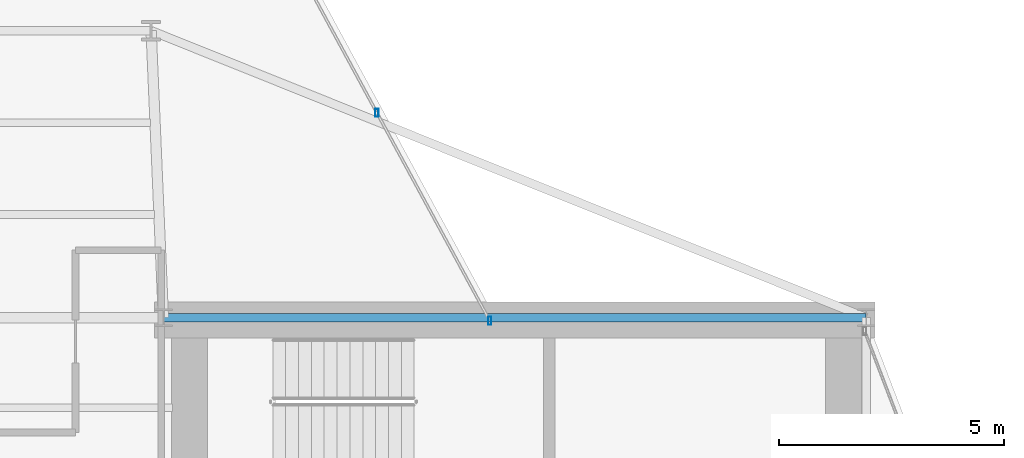
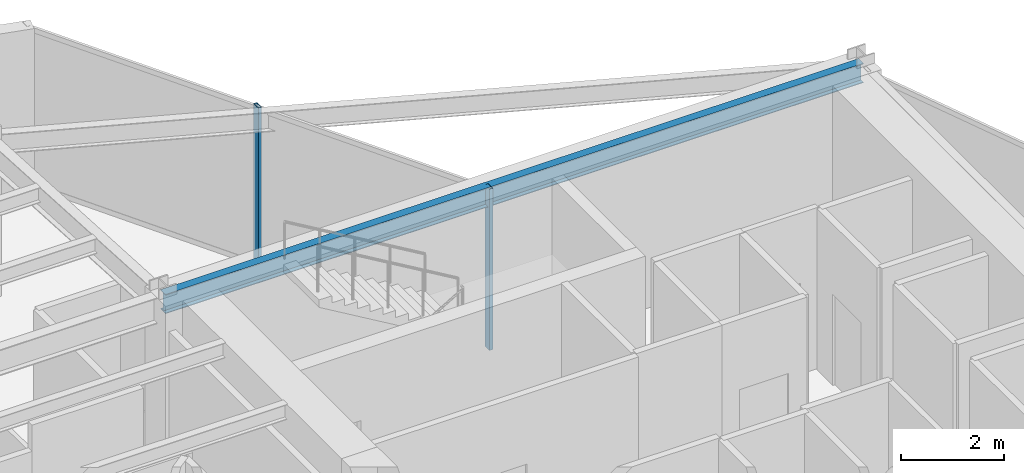
# One storey, part 16 of 26: 2 members, 1 beam, 1 element without a shape of its own.
"""IFC4 building model written with IfcOpenShell, lengths in metres."""

from ifc_helpers import new_model, si_unit, direction, frame, origin, origin_2d, place, context, subcontext, project, spatial, hollow_rectangle, i_section, extrude, material, layer, layer_set, material_profile, profile_set, type_object, element, aggregate, save


model = new_model("IFC4")

# Units and contexts
model_context = context("Model", 3, precision=1e-05, world=origin(), true_north=direction((0.0, 1.0)))
body_context = subcontext(model_context, "Body", "Model", "MODEL_VIEW")
ifc_project = project(units=[si_unit("LENGTHUNIT", "METRE"), si_unit("AREAUNIT", "SQUARE_METRE"), si_unit("VOLUMEUNIT", "CUBIC_METRE"), si_unit("PLANEANGLEUNIT", "RADIAN"), si_unit("MASSUNIT", "GRAM", prefix="KILO")], contexts=[model_context])

# Site, building, storey
site_placement = place(None, origin())
site = spatial("IfcSite", under=ifc_project, at=site_placement, CompositionType="ELEMENT")
building_placement = place(site_placement, origin())
building = spatial("IfcBuilding", under=site, at=building_placement, Name="Veymaron Broadcast Tower", CompositionType="ELEMENT")
storey_placement = place(building_placement, frame((0.0, 0.0, 153.300048828125)))
storey = spatial("IfcBuildingStorey", under=building, at=storey_placement, Name="L35", CompositionType="ELEMENT", Elevation=153.300048828125)

# Beam
ifc_material_1 = material(Name="Structural steel ASTM A992 Gr 50", Category="steel")
ifc_material_profile_1 = material_profile(ifc_material_1, i_section(OverallWidth=0.19091796875, OverallDepth=0.4599609375, WebThickness=0.010009765625, FlangeThickness=0.01611328125, at=origin_2d()), Name="W460X82")
ifc_profile_set_1 = profile_set([ifc_material_profile_1], Name="Structural steel ASTM A992 Gr 50")
beam_type = type_object("IfcBeamType", Name="BM-SP1", PredefinedType="SPANDREL", material=ifc_profile_set_1)
beam_placement = place(storey_placement, frame((39.0, 32.0, 3.579833984375), z_axis=(1.0, 0.0, 0.0), x_axis=(0.0, 1.0, 0.0)))
element("IfcBeam", 1, at=beam_placement, inside=storey, type_object=beam_type, Name="L35 primary structural floor girder", PredefinedType="SPANDREL", context=body_context, shape_type="SweptSolid", body=[
    extrude(i_section(OverallWidth=0.19091796875, OverallDepth=0.4599609375, WebThickness=0.010009765625, FlangeThickness=0.01611328125, at=origin_2d()), origin(), (0.0, 0.0, 1.0), 15.60009765625),
])

# Curtain wall, members
ifc_material_2 = material(Name="Anodised aluminium AA 6063-T6 and laminated low-E dark glass", Category="aluminium")
ifc_layer = layer(ifc_material_2, 0.179931640625)
ifc_layer_set = layer_set([ifc_layer], Name="Anodised aluminium AA 6063-T6 and laminated low-E dark glass")
curtain_wall_type = type_object("IfcCurtainWallType", Name="CW-SYS-03", PredefinedType="NOTDEFINED", material=ifc_layer_set)
curtain_wall_placement = place(storey_placement, origin())
curtain_wall = element("IfcCurtainWall", 2, at=curtain_wall_placement, inside=storey, type_object=curtain_wall_type, Name="L35 dark-glass curtain wall CW-L35-E5-1", PredefinedType="NOTDEFINED")
ifc_material_3 = material(Name="Anodised aluminium AA 6063-T6", Category="aluminium")
ifc_material_profile_2 = material_profile(ifc_material_3, hollow_rectangle(XDim=0.074951171875, YDim=0.179931640625, WallThickness=0.0048828125, at=origin_2d()), Name="AL180X75X5")
ifc_profile_set_2 = profile_set([ifc_material_profile_2], Name="Anodised aluminium AA 6063-T6")
member_type = type_object("IfcMemberType", Name="CW-MUL-02", PredefinedType="MULLION", material=ifc_profile_set_2)
member_1_placement = place(storey_placement, frame((46.242919921875, 31.93310546875, 0.0), z_axis=(0.0, 0.0, 1.0), x_axis=(1.0, 0.0, 0.0)))
member_1 = element("IfcMember", 3, at=member_1_placement, type_object=member_type, Name="CW-L35-E5-1 mullion 0", PredefinedType="MULLION", context=body_context, shape_type="SweptSolid", body=[
    extrude(hollow_rectangle(XDim=0.074951171875, YDim=0.179931640625, WallThickness=0.0048828125, at=origin_2d()), origin(), (0.0, 0.0, 1.0), 3.81005859375),
])
member_2_placement = place(storey_placement, frame((43.740234375, 36.546875, 0.0), z_axis=(0.0, 0.0, 1.0), x_axis=(1.0, 0.0, 0.0)))
member_2 = element("IfcMember", 4, at=member_2_placement, type_object=member_type, Name="CW-L35-E5-1 mullion 1", PredefinedType="MULLION", context=body_context, shape_type="SweptSolid", body=[
    extrude(hollow_rectangle(XDim=0.074951171875, YDim=0.179931640625, WallThickness=0.0048828125, at=origin_2d()), origin(), (0.0, 0.0, 1.0), 3.81005859375),
])
aggregate(curtain_wall, [member_1, member_2])

save(model, "model.ifc")
